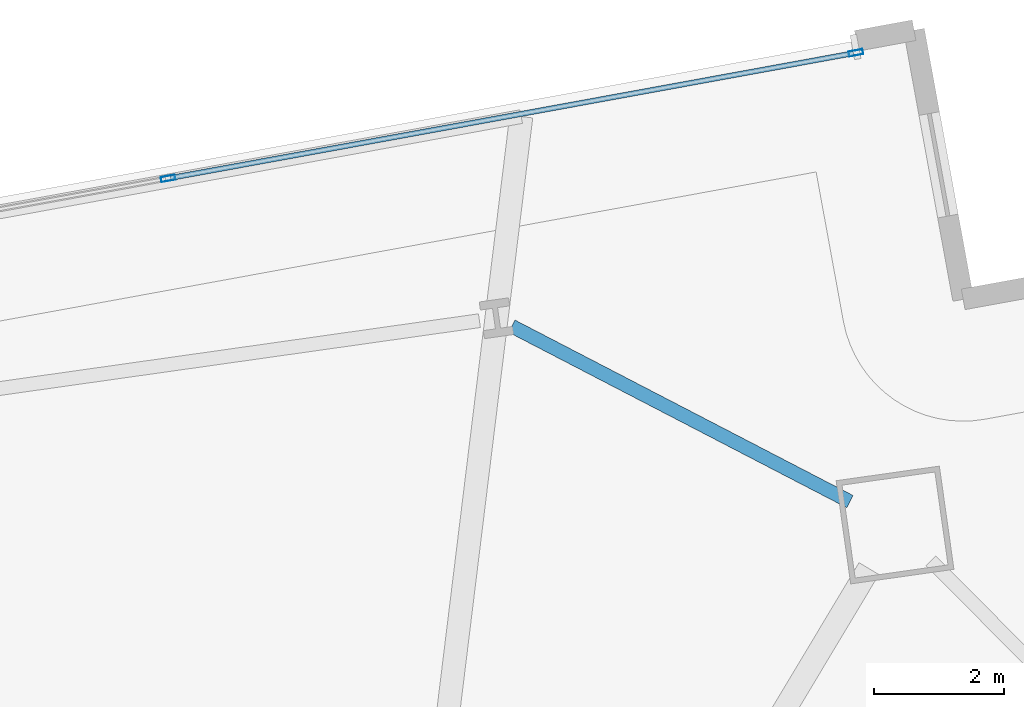
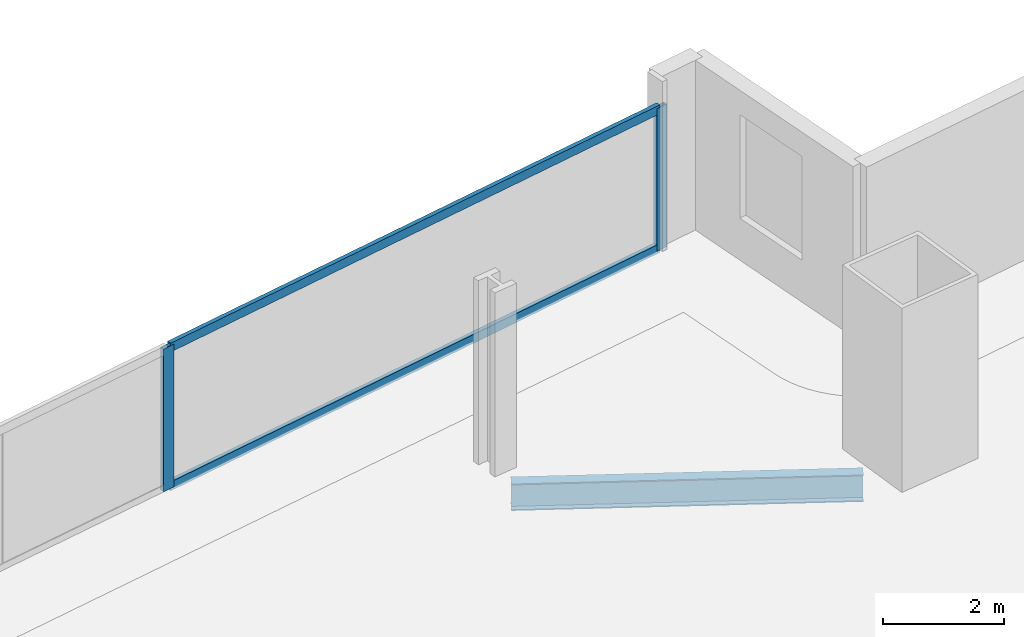
# One storey, part 23 of 34: 4 members, 1 beam, 1 element without a shape of its own.
"""IFC4 building model written with IfcOpenShell, lengths in metres."""

from ifc_helpers import new_model, si_unit, direction, frame, origin, origin_2d, place, context, subcontext, project, spatial, hollow_rectangle, i_section, extrude, material, material_profile, profile_set, type_object, element, aggregate, save


model = new_model("IFC4")

# Units and contexts
model_context = context("Model", 3, precision=1e-05, world=origin(), true_north=direction((0.0, 1.0)))
body_context = subcontext(model_context, "Body", "Model", "MODEL_VIEW")
ifc_project = project(units=[si_unit("LENGTHUNIT", "METRE"), si_unit("AREAUNIT", "SQUARE_METRE"), si_unit("VOLUMEUNIT", "CUBIC_METRE"), si_unit("PLANEANGLEUNIT", "RADIAN"), si_unit("MASSUNIT", "GRAM", prefix="KILO")], contexts=[model_context])

# Site, building, storey
site_placement = place(None, origin())
site = spatial("IfcSite", under=ifc_project, at=site_placement, CompositionType="ELEMENT")
building_placement = place(site_placement, origin())
building = spatial("IfcBuilding", under=site, at=building_placement, Name="Haldenkirk Collegiate Tower", CompositionType="ELEMENT")
storey_placement = place(building_placement, frame((0.0, 0.0, 62.699951171875)))
storey = spatial("IfcBuildingStorey", under=building, at=storey_placement, Name="L14", CompositionType="ELEMENT", Elevation=62.699951171875)

# Beam
ifc_material_1 = material(Name="Steel ASTM A992 Grade 50", Category="steel")
ifc_material_profile_1 = material_profile(ifc_material_1, i_section(OverallWidth=0.2119140625, OverallDepth=0.5439453125, WebThickness=0.01318359375, FlangeThickness=0.021240234375, at=origin_2d()), Name="W21X83")
ifc_profile_set_1 = profile_set([ifc_material_profile_1], Name="Steel ASTM A992 Grade 50")
beam_type = type_object("IfcBeamType", Name="BM-SPANDREL-W21X83", PredefinedType="SPANDREL", material=ifc_profile_set_1)
beam_placement = place(storey_placement, frame((52.4921875, 48.029296875, -0.58203125), z_axis=(-0.887648364794, 0.460521856678, 0.0), x_axis=(-0.460521856678, -0.887648364794, 0.0)))
element("IfcBeam", 1, at=beam_placement, inside=storey, type_object=beam_type, Name="L14 perimeter spandrel beam 09", PredefinedType="SPANDREL", context=body_context, shape_type="SweptSolid", body=[
    extrude(i_section(OverallWidth=0.2119140625, OverallDepth=0.5439453125, WebThickness=0.01318359375, FlangeThickness=0.021240234375, at=origin_2d()), origin(), (0.0, 0.0, 1.0), 5.848388671875),
])

# Curtain wall, members
ifc_material_2 = material(Name="Anodised architectural bronze aluminium", Category="aluminium")
curtain_wall_type = type_object("IfcCurtainWallType", Name="CW-SYS1-CONVEX-LOW", PredefinedType="USERDEFINED", material=ifc_material_2)
curtain_wall_placement = place(storey_placement, origin())
curtain_wall = element("IfcCurtainWall", 2, at=curtain_wall_placement, inside=storey, type_object=curtain_wall_type, Name="L14 Lower tower convex bronze-framed unitised curtain wall", ObjectType="UNITISED CURTAIN WALL", PredefinedType="USERDEFINED")
ifc_material_profile_2 = material_profile(ifc_material_2, hollow_rectangle(XDim=0.080078125, YDim=0.219970703125, WallThickness=0.0048828125, at=origin_2d()), Name="CW-MUL-1A")
ifc_profile_set_2 = profile_set([ifc_material_profile_2], Name="Anodised architectural bronze aluminium")
member_type_1 = type_object("IfcMemberType", Name="CW-MUL-1A", PredefinedType="MULLION", material=ifc_profile_set_2)
member_1_placement = place(storey_placement, frame((42.023681640625, 52.991455078125, 0.0), z_axis=(0.0, 0.0, 1.0), x_axis=(-0.179659417405, 0.983728872067, 0.0)))
member_1 = element("IfcMember", 3, at=member_1_placement, type_object=member_type_1, Name="CW-1A mullion 4", PredefinedType="MULLION", context=body_context, shape_type="SweptSolid", body=[
    extrude(hollow_rectangle(XDim=0.080078125, YDim=0.219970703125, WallThickness=0.0048828125, at=origin_2d()), origin(), (0.0, 0.0, 1.0), 2.89111328125),
])
member_2_placement = place(storey_placement, frame((52.583984375, 54.919921875, 0.0), z_axis=(0.0, 0.0, 1.0), x_axis=(-0.179659417405, 0.983728872067, 0.0)))
member_2 = element("IfcMember", 4, at=member_2_placement, type_object=member_type_1, Name="CW-1A mullion 5", PredefinedType="MULLION", context=body_context, shape_type="SweptSolid", body=[
    extrude(hollow_rectangle(XDim=0.080078125, YDim=0.219970703125, WallThickness=0.0048828125, at=origin_2d()), origin(), (0.0, 0.0, 1.0), 2.89111328125),
])
ifc_material_profile_3 = material_profile(ifc_material_2, hollow_rectangle(XDim=0.080078125, YDim=0.179931640625, WallThickness=0.0048828125, at=origin_2d()), Name="CW-TRN-1A")
ifc_profile_set_3 = profile_set([ifc_material_profile_3], Name="Anodised architectural bronze aluminium")
member_type_2 = type_object("IfcMemberType", Name="CW-TRN-1A", PredefinedType="USERDEFINED", material=ifc_profile_set_3)
member_3_placement = place(storey_placement, frame((42.06298828125, 52.99853515625, 0.0400390625), z_axis=(0.983728459098, 0.179661678611, 0.0), x_axis=(-0.179661678611, 0.983728459098, 0.0)))
member_3 = element("IfcMember", 5, at=member_3_placement, type_object=member_type_2, Name="CW-1A transom 4.1", ObjectType="TRANSOM", PredefinedType="USERDEFINED", context=body_context, shape_type="SweptSolid", body=[
    extrude(hollow_rectangle(XDim=0.080078125, YDim=0.179931640625, WallThickness=0.0048828125, at=origin_2d()), origin(), (0.0, 0.0, 1.0), 10.655029296875),
])
member_4_placement = place(storey_placement, frame((42.06298828125, 52.99853515625, 2.85107421875), z_axis=(0.983728459098, 0.179661678611, 0.0), x_axis=(-0.179661678611, 0.983728459098, 0.0)))
member_4 = element("IfcMember", 6, at=member_4_placement, type_object=member_type_2, Name="CW-1A transom 4.2", ObjectType="TRANSOM", PredefinedType="USERDEFINED", context=body_context, shape_type="SweptSolid", body=[
    extrude(hollow_rectangle(XDim=0.080078125, YDim=0.179931640625, WallThickness=0.0048828125, at=origin_2d()), origin(), (0.0, 0.0, 1.0), 10.655029296875),
])
aggregate(curtain_wall, [member_1, member_2, member_3, member_4])

save(model, "model.ifc")
